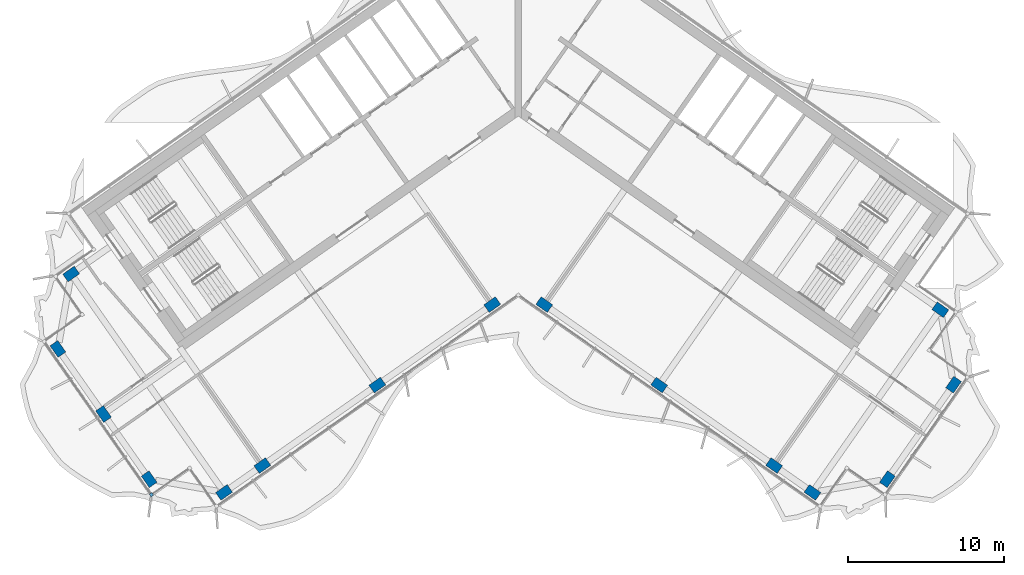
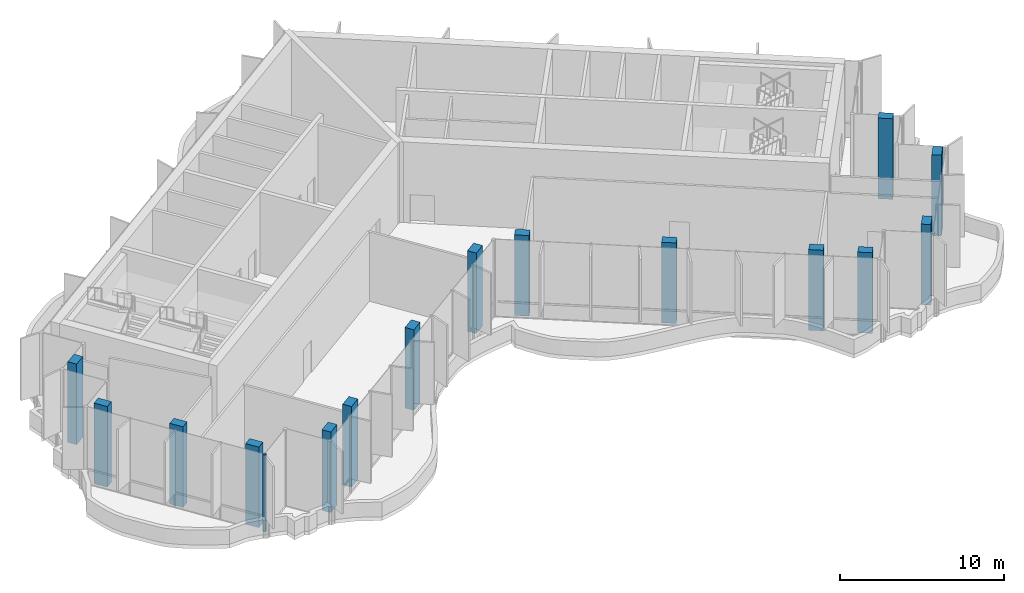
# One storey, part 1 of 18: 15 columns, 1 member, 1 element without a shape of its own.
"""IFC4 building model written with IfcOpenShell, lengths in metres."""

from ifc_helpers import new_model, si_unit, direction, frame, origin, origin_2d, place, context, subcontext, project, spatial, rectangle, extrude, material, material_profile, profile_set, type_object, element, aggregate, save


model = new_model("IFC4")

# Units and contexts
model_context = context("Model", 3, precision=1e-05, world=origin(), true_north=direction((0.0, 1.0)))
body_context = subcontext(model_context, "Body", "Model", "MODEL_VIEW")
ifc_project = project(units=[si_unit("LENGTHUNIT", "METRE"), si_unit("AREAUNIT", "SQUARE_METRE"), si_unit("VOLUMEUNIT", "CUBIC_METRE"), si_unit("PLANEANGLEUNIT", "RADIAN"), si_unit("MASSUNIT", "GRAM", prefix="KILO")], contexts=[model_context])

# Site, building, storey
site_placement = place(None, origin())
site = spatial("IfcSite", under=ifc_project, at=site_placement, CompositionType="ELEMENT")
building_placement = place(site_placement, origin())
building = spatial("IfcBuilding", under=site, at=building_placement, Name="Tel Ilan Convention Tower", CompositionType="ELEMENT")
storey_placement = place(building_placement, frame((0.0, 0.0, 307.300048828125)))
storey = spatial("IfcBuildingStorey", under=building, at=storey_placement, Name="L73", CompositionType="ELEMENT", Elevation=307.300048828125)

# Columns
ifc_material_1 = material(Name="Concrete C40/50", Category="concrete")
ifc_material_profile_1 = material_profile(ifc_material_1, rectangle(XDim=0.89990234375, YDim=0.60009765625, at=origin_2d()), Name="RC 600x900")
ifc_profile_set_1 = profile_set([ifc_material_profile_1], Name="Concrete C40/50")
column_type = type_object("IfcColumnType", Name="Column RC 600x900 C40/50", PredefinedType="COLUMN", material=ifc_profile_set_1)
for number, where, z_axis, x_axis, name in (
    (1, (-1.665283203125, -13.312744140625, 0.0), (0.0, 0.0, 1.0), (-0.819152044289, -0.573576436351, 0.0), "L73 column W-F1"),
    (2, (-9.03759765625, -18.474853515625, 0.0), (0.0, 0.0, 1.0), (-0.819152044289, -0.573576436351, 0.0), "L73 column W-F2"),
    (3, (-16.409912109375, -23.63720703125, 0.0), (0.0, 0.0, 1.0), (-0.819152044289, -0.573576436351, 0.0), "L73 column W-F3"),
    (4, (-18.867431640625, -25.35791015625, 0.0), (0.0, 0.0, 1.0), (-0.819152044289, -0.573576436351, 0.0), "L73 column W-FC"),
    (5, (-28.675537109375, -11.350341796875, 0.0), (0.0, 0.0, 1.0), (-0.819152044289, -0.573576436351, 0.0), "L73 column W-BC"),
    (6, (-23.67236328125, -24.510498046875, 0.0), (0.0, 0.0, 1.0), (-0.573576436351, 0.819152044289, 0.0), "L73 column W-E1"),
    (7, (-26.59765625, -20.3330078125, 0.0), (0.0, 0.0, 1.0), (-0.573576436351, 0.819152044289, 0.0), "L73 column W-E2"),
    (8, (-29.52294921875, -16.1552734375, 0.0), (0.0, 0.0, 1.0), (-0.573576436351, 0.819152044289, 0.0), "L73 column W-E3"),
    (9, (1.665283203125, -13.312744140625, 0.0), (0.0, 0.0, 1.0), (0.819152044289, -0.573576436351, 0.0), "L73 column E-F1"),
    (10, (9.03759765625, -18.474853515625, 0.0), (0.0, 0.0, 1.0), (0.819152044289, -0.573576436351, 0.0), "L73 column E-F2"),
    (11, (16.409912109375, -23.63720703125, 0.0), (0.0, 0.0, 1.0), (0.819152044289, -0.573576436351, 0.0), "L73 column E-F3"),
    (12, (18.867431640625, -25.35791015625, 0.0), (0.0, 0.0, 1.0), (0.819152044289, -0.573576436351, 0.0), "L73 column E-FC"),
    (13, (27.069580078125, -13.64404296875, 0.0), (0.0, 0.0, 1.0), (0.819152044289, -0.573576436351, 0.0), "L73 column E-BC"),
    (14, (23.67236328125, -24.510498046875, 0.0), (0.0, 0.0, 1.0), (0.573576436351, 0.819152044289, 0.0), "L73 column E-E1"),
    (15, (27.9169921875, -18.448974609375, 0.0), (0.0, 0.0, 1.0), (0.573576436351, 0.819152044289, 0.0), "L73 column E-E2"),
):
    element("IfcColumn", number, at=place(storey_placement, frame(where, z_axis=z_axis, x_axis=x_axis)), inside=storey, type_object=column_type, Name=name, PredefinedType="COLUMN", context=body_context, shape_type="SweptSolid", body=[
        extrude(rectangle(XDim=0.89990234375, YDim=0.60009765625, at=origin_2d()), origin(), (0.0, 0.0, 1.0), 6.0),
    ])

# Curtain wall, member
ifc_material_2 = material(Name="Aluminium, bronze anodised", Category="aluminium")
curtain_wall_type = type_object("IfcCurtainWallType", Name="CW5 STICK CURTAIN WALL, UPPER OFFICE LOW-IRON TINTED GLASS", PredefinedType="NOTDEFINED", material=ifc_material_2)
curtain_wall_placement = place(storey_placement, origin())
curtain_wall = element("IfcCurtainWall", 16, at=curtain_wall_placement, inside=storey, type_object=curtain_wall_type, Name="Curtain wall CW5-55.02", PredefinedType="NOTDEFINED")
ifc_material_3 = material(Name="Aluminium, bronze anodised", Category="aluminium")
ifc_material_profile_2 = material_profile(ifc_material_3, rectangle(XDim=0.199951171875, YDim=0.199951171875, at=origin_2d()), Name="CW CORNER MULLION 200x200")
ifc_profile_set_2 = profile_set([ifc_material_profile_2], Name="Aluminium, bronze anodised")
member_type = type_object("IfcMemberType", Name="CW CORNER MULLION 200x200", PredefinedType="MULLION", material=ifc_profile_set_2)
member_placement = place(storey_placement, frame((-23.52490234375, -25.505859375, 0.0), z_axis=(0.0, 0.0, 1.0), x_axis=(0.573576436351, -0.819152044289, 0.0)))
member = element("IfcMember", 17, at=member_placement, type_object=member_type, Name="Corner mullion", PredefinedType="MULLION", context=body_context, shape_type="SweptSolid", body=[
    extrude(rectangle(XDim=0.199951171875, YDim=0.199951171875, at=origin_2d()), origin(), (0.0, 0.0, 1.0), 5.719970703125),
])
aggregate(curtain_wall, [member])

save(model, "model.ifc")
